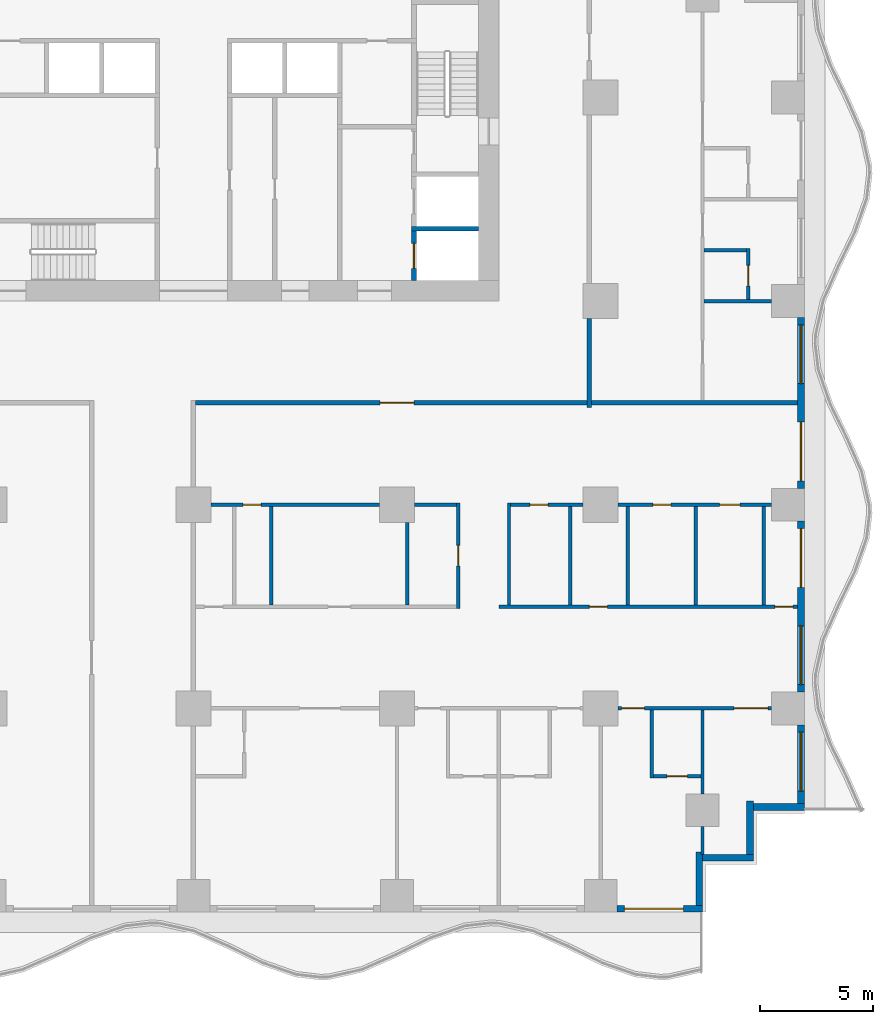
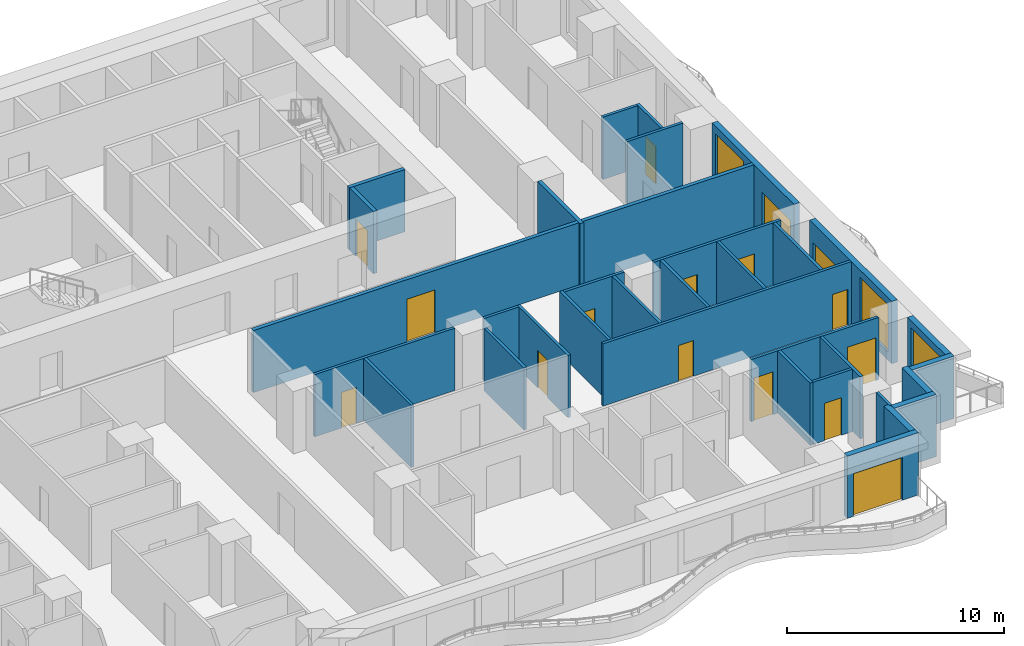
# One storey, part 4 of 14: 34 walls, 16 doors, 3 windows, 19 openings.
"""IFC4 building model written with IfcOpenShell, lengths in metres."""

from ifc_helpers import new_model, si_unit, direction, frame, frame_2d, origin, place, context, subcontext, project, spatial, rectangle, extrude, material, layer, layer_set, type_object, element, fill, save


model = new_model("IFC4")

# Units and contexts
model_context = context("Model", 3, precision=1e-05, world=origin(), true_north=direction((0.0, 1.0)))
body_context = subcontext(model_context, "Body", "Model", "MODEL_VIEW")
ifc_project = project(units=[si_unit("LENGTHUNIT", "METRE"), si_unit("AREAUNIT", "SQUARE_METRE"), si_unit("VOLUMEUNIT", "CUBIC_METRE"), si_unit("PLANEANGLEUNIT", "RADIAN"), si_unit("MASSUNIT", "GRAM", prefix="KILO")], contexts=[model_context])

# Site, building, storey
site_placement = place(None, origin())
site = spatial("IfcSite", under=ifc_project, at=site_placement, CompositionType="ELEMENT")
building_placement = place(site_placement, origin())
building = spatial("IfcBuilding", under=site, at=building_placement, Name="Orbiselva Terraces", CompositionType="ELEMENT")
storey_placement = place(building_placement, frame((0.0, 0.0, 26.4)))
storey = spatial("IfcBuildingStorey", under=building, at=storey_placement, Name="L06", CompositionType="ELEMENT", Elevation=26.4)

# Wall, opening, door
ifc_material_1 = material(Name="Concrete C60/75", Category="concrete")
ifc_layer_1 = layer(ifc_material_1, 0.2)
ifc_layer_set_1 = layer_set([ifc_layer_1], Name="Concrete C60/75")
wall_type_1 = type_object("IfcWallType", Name="CORE-WALL-SHEAR-200", PredefinedType="SHEAR", material=ifc_layer_set_1)
wall_1_placement = place(storey_placement, frame((9.75, 5.4, 0.0), z_axis=(0.0, 0.0, 1.0), x_axis=(0.0, 1.0, 0.0)))
wall_1 = element("IfcWall", 1, at=wall_1_placement, inside=storey, type_object=wall_type_1, Name="L06 core wall 36", PredefinedType="SHEAR", context=body_context, shape_type="SweptSolid", body=[
    extrude(rectangle(XDim=2.2, YDim=0.2, at=frame_2d((1.1, 0.0))), origin(), (0.0, 0.0, 1.0), 3.5),
])
opening_1_placement = place(wall_1_placement, frame((0.55, 0.0, 0.0)))
opening_1 = element("IfcOpeningElement", 2, at=opening_1_placement, cuts=wall_1, Name="Opening LD-FF1", PredefinedType="OPENING", context=body_context, shape_type="SweptSolid", body=[
    extrude(rectangle(XDim=1.1, YDim=2.1, at=frame_2d((0.55, 1.05))), frame((0.0, 0.11, 0.0), z_axis=(0.0, -1.0, 0.0), x_axis=(1.0, 0.0, 0.0)), (0.0, 0.0, 1.0), 0.22),
])
ifc_material_2 = material(Name="Stainless steel landing door", Category="steel")
door_type_1 = type_object("IfcDoorType", Name="LANDING DOOR 1100", OperationType="SLIDING_TO_LEFT", PredefinedType="DOOR", material=ifc_material_2)
door_1_placement = place(opening_1_placement, origin())
door_1 = element("IfcDoor", 3, at=door_1_placement, inside=storey, type_object=door_type_1, Name="L06 landing door FF1", OperationType="SLIDING_TO_RIGHT", OverallHeight=2.1, OverallWidth=1.1, PredefinedType="DOOR", context=body_context, shape_type="SweptSolid", body=[
    extrude(rectangle(XDim=1.1, YDim=2.1, at=frame_2d((0.55, 1.05))), frame((0.0, 0.025, 0.0), z_axis=(0.0, -1.0, 0.0), x_axis=(1.0, 0.0, 0.0)), (0.0, 0.0, 1.0), 0.05),
])
fill(opening_1, door_1)

# Wall
wall_2_placement = place(storey_placement, frame((9.65, 7.7, 0.0), z_axis=(0.0, 0.0, 1.0), x_axis=(1.0, 0.0, 0.0)))
element("IfcWall", 4, at=wall_2_placement, inside=storey, type_object=wall_type_1, Name="L06 core wall 37", PredefinedType="SHEAR", context=body_context, shape_type="SweptSolid", body=[
    extrude(rectangle(XDim=2.95, YDim=0.2, at=frame_2d((1.475, 0.0))), origin(), (0.0, 0.0, 1.0), 3.5),
])

# Wall, opening, door
ifc_material_3 = material(Name="Terracotta cladding on masonry backing", Category="masonry")
ifc_layer_2 = layer(ifc_material_3, 0.3)
ifc_layer_set_2 = layer_set([ifc_layer_2], Name="Terracotta cladding on masonry backing")
wall_type_2 = type_object("IfcWallType", Name="ENV-WALL-TERRACOTTA-300", PredefinedType="SOLIDWALL", material=ifc_layer_set_2)
wall_3_placement = place(storey_placement, frame((22.5, -22.35, 0.0), z_axis=(0.0, 0.0, 1.0), x_axis=(-1.0, 0.0, 0.0)))
wall_3 = element("IfcWall", 5, at=wall_3_placement, inside=storey, type_object=wall_type_2, Name="Facade wall L06 S", PredefinedType="SOLIDWALL", context=body_context, shape_type="SweptSolid", body=[
    extrude(rectangle(XDim=3.775, YDim=0.3, at=frame_2d((1.8875, 0.0))), origin(), (0.0, 0.0, 1.0), 3.5),
])
opening_2_placement = place(wall_3_placement, frame((0.85, 0.0, 0.0)))
opening_2 = element("IfcOpeningElement", 6, at=opening_2_placement, cuts=wall_3, Name="Opening Z1-B-E04", PredefinedType="OPENING", context=body_context, shape_type="SweptSolid", body=[
    extrude(rectangle(XDim=2.6, YDim=2.4, at=frame_2d((1.3, 1.2))), frame((0.0, 0.16, 0.0), z_axis=(0.0, -1.0, 0.0), x_axis=(1.0, 0.0, 0.0)), (0.0, 0.0, 1.0), 0.32),
])
ifc_material_4 = material(Name="Clear low-e glazing in aluminium frame", Category="aluminium")
door_type_2 = type_object("IfcDoorType", Name="BALCONY DOOR 2600 X 2400", OperationType="DOUBLE_DOOR_SLIDING", PredefinedType="DOOR", material=ifc_material_4)
door_2_placement = place(opening_2_placement, origin())
door_2 = element("IfcDoor", 7, at=door_2_placement, inside=storey, type_object=door_type_2, Name="Z1-B-E04", OperationType="SINGLE_SWING_LEFT", OverallHeight=2.4, OverallWidth=2.6, PredefinedType="DOOR", context=body_context, shape_type="SweptSolid", body=[
    extrude(rectangle(XDim=2.6, YDim=2.4, at=frame_2d((1.3, 1.2))), frame((0.0, 0.025, 0.0), z_axis=(0.0, -1.0, 0.0), x_axis=(1.0, 0.0, 0.0)), (0.0, 0.0, 1.0), 0.05),
])
fill(opening_2, door_2)

# Walls
wall_4_placement = place(storey_placement, frame((22.35, -19.85, 0.0), z_axis=(0.0, 0.0, 1.0), x_axis=(0.0, -1.0, 0.0)))
element("IfcWall", 8, at=wall_4_placement, inside=storey, type_object=wall_type_2, Name="Facade wall L06 STEP", PredefinedType="SOLIDWALL", context=body_context, shape_type="SweptSolid", body=[
    extrude(rectangle(XDim=2.35, YDim=0.3, at=frame_2d((1.175, 0.0))), origin(), (0.0, 0.0, 1.0), 3.5),
])
wall_5_placement = place(storey_placement, frame((24.75, -20.1, 0.0), z_axis=(0.0, 0.0, 1.0), x_axis=(-1.0, 0.0, 0.0)))
element("IfcWall", 9, at=wall_5_placement, inside=storey, type_object=wall_type_2, Name="Facade wall L06 STEP", PredefinedType="SOLIDWALL", context=body_context, shape_type="SweptSolid", body=[
    extrude(rectangle(XDim=2.25, YDim=0.3, at=frame_2d((1.125, 0.0))), origin(), (0.0, 0.0, 1.0), 3.5),
])
wall_6_placement = place(storey_placement, frame((24.6, -17.6, 0.0), z_axis=(0.0, 0.0, 1.0), x_axis=(0.0, -1.0, 0.0)))
element("IfcWall", 10, at=wall_6_placement, inside=storey, type_object=wall_type_2, Name="Facade wall L06 STEP", PredefinedType="SOLIDWALL", context=body_context, shape_type="SweptSolid", body=[
    extrude(rectangle(XDim=2.35, YDim=0.3, at=frame_2d((1.175, 0.0))), origin(), (0.0, 0.0, 1.0), 3.5),
])
wall_7_placement = place(storey_placement, frame((27.0, -17.85, 0.0), z_axis=(0.0, 0.0, 1.0), x_axis=(-1.0, 0.0, 0.0)))
element("IfcWall", 11, at=wall_7_placement, inside=storey, type_object=wall_type_2, Name="Facade wall L06 STEP", PredefinedType="SOLIDWALL", context=body_context, shape_type="SweptSolid", body=[
    extrude(rectangle(XDim=2.25, YDim=0.3, at=frame_2d((1.125, 0.0))), origin(), (0.0, 0.0, 1.0), 3.5),
])

# Wall, opening, window
wall_8_placement = place(storey_placement, frame((26.85, -14.225, 0.0), z_axis=(0.0, 0.0, 1.0), x_axis=(0.0, -1.0, 0.0)))
wall_8 = element("IfcWall", 12, at=wall_8_placement, inside=storey, type_object=wall_type_2, Name="Facade wall L06 E", PredefinedType="SOLIDWALL", context=body_context, shape_type="SweptSolid", body=[
    extrude(rectangle(XDim=3.475, YDim=0.3, at=frame_2d((1.7375, 0.0))), origin(), (0.0, 0.0, 1.0), 3.5),
])
opening_3_placement = place(wall_8_placement, frame((0.325, 0.0, 0.45)))
opening_3 = element("IfcOpeningElement", 13, at=opening_3_placement, cuts=wall_8, Name="Opening WN1", PredefinedType="OPENING", context=body_context, shape_type="SweptSolid", body=[
    extrude(rectangle(XDim=2.6, YDim=2.65, at=frame_2d((1.3, 1.325))), frame((0.0, 0.16, 0.0), z_axis=(0.0, -1.0, 0.0), x_axis=(1.0, 0.0, 0.0)), (0.0, 0.0, 1.0), 0.32),
])
window_type = type_object("IfcWindowType", Name="WINDOW 2600 X 2650 S450", PartitioningType="TRIPLE_PANEL_VERTICAL", PredefinedType="WINDOW", material=ifc_material_4)
window_1_placement = place(opening_3_placement, origin())
window_1 = element("IfcWindow", 14, at=window_1_placement, inside=storey, type_object=window_type, Name="Window L06 E", OverallHeight=2.65, OverallWidth=2.6, PartitioningType="SINGLE_PANEL", PredefinedType="WINDOW", context=body_context, shape_type="SweptSolid", body=[
    extrude(rectangle(XDim=2.6, YDim=2.65, at=frame_2d((1.3, 1.325))), frame((0.0, 0.03, 0.0), z_axis=(0.0, -1.0, 0.0), x_axis=(1.0, 0.0, 0.0)), (0.0, 0.0, 1.0), 0.06),
])
fill(opening_3, window_1)

# Wall, openings, door, window
wall_9_placement = place(storey_placement, frame((26.85, -5.225, 0.0), z_axis=(0.0, 0.0, 1.0), x_axis=(0.0, -1.0, 0.0)))
wall_9 = element("IfcWall", 15, at=wall_9_placement, inside=storey, type_object=wall_type_2, Name="Facade wall L06 E", PredefinedType="SOLIDWALL", context=body_context, shape_type="SweptSolid", body=[
    extrude(rectangle(XDim=7.55, YDim=0.3, at=frame_2d((3.775, 0.0))), origin(), (0.0, 0.0, 1.0), 3.5),
])
opening_4_placement = place(wall_9_placement, frame((4.625, 0.0, 0.45)))
opening_4 = element("IfcOpeningElement", 16, at=opening_4_placement, cuts=wall_9, Name="Opening WN1", PredefinedType="OPENING", context=body_context, shape_type="SweptSolid", body=[
    extrude(rectangle(XDim=2.6, YDim=2.65, at=frame_2d((1.3, 1.325))), frame((0.0, 0.16, 0.0), z_axis=(0.0, -1.0, 0.0), x_axis=(1.0, 0.0, 0.0)), (0.0, 0.0, 1.0), 0.32),
])
opening_5_placement = place(wall_9_placement, frame((0.325, 0.0, 0.0)))
opening_5 = element("IfcOpeningElement", 17, at=opening_5_placement, cuts=wall_9, Name="Opening Z1-B-E05", PredefinedType="OPENING", context=body_context, shape_type="SweptSolid", body=[
    extrude(rectangle(XDim=2.6, YDim=2.4, at=frame_2d((1.3, 1.2))), frame((0.0, 0.16, 0.0), z_axis=(0.0, -1.0, 0.0), x_axis=(1.0, 0.0, 0.0)), (0.0, 0.0, 1.0), 0.32),
])
door_3_placement = place(opening_5_placement, origin())
door_3 = element("IfcDoor", 18, at=door_3_placement, inside=storey, type_object=door_type_2, Name="Z1-B-E05", OperationType="SINGLE_SWING_LEFT", OverallHeight=2.4, OverallWidth=2.6, PredefinedType="DOOR", context=body_context, shape_type="SweptSolid", body=[
    extrude(rectangle(XDim=2.6, YDim=2.4, at=frame_2d((1.3, 1.2))), frame((0.0, 0.025, 0.0), z_axis=(0.0, -1.0, 0.0), x_axis=(1.0, 0.0, 0.0)), (0.0, 0.0, 1.0), 0.05),
])
fill(opening_5, door_3)
window_2_placement = place(opening_4_placement, origin())
window_2 = element("IfcWindow", 19, at=window_2_placement, inside=storey, type_object=window_type, Name="Window L06 E", OverallHeight=2.65, OverallWidth=2.6, PartitioningType="SINGLE_PANEL", PredefinedType="WINDOW", context=body_context, shape_type="SweptSolid", body=[
    extrude(rectangle(XDim=2.6, YDim=2.65, at=frame_2d((1.3, 1.325))), frame((0.0, 0.03, 0.0), z_axis=(0.0, -1.0, 0.0), x_axis=(1.0, 0.0, 0.0)), (0.0, 0.0, 1.0), 0.06),
])
fill(opening_4, window_2)

wall_10_placement = place(storey_placement, frame((26.85, 3.775, 0.0), z_axis=(0.0, 0.0, 1.0), x_axis=(0.0, -1.0, 0.0)))
wall_10 = element("IfcWall", 20, at=wall_10_placement, inside=storey, type_object=wall_type_2, Name="Facade wall L06 E", PredefinedType="SOLIDWALL", context=body_context, shape_type="SweptSolid", body=[
    extrude(rectangle(XDim=7.55, YDim=0.3, at=frame_2d((3.775, 0.0))), origin(), (0.0, 0.0, 1.0), 3.5),
])
opening_6_placement = place(wall_10_placement, frame((4.625, 0.0, 0.0)))
opening_6 = element("IfcOpeningElement", 21, at=opening_6_placement, cuts=wall_10, Name="Opening Z1-B-E06", PredefinedType="OPENING", context=body_context, shape_type="SweptSolid", body=[
    extrude(rectangle(XDim=2.6, YDim=2.4, at=frame_2d((1.3, 1.2))), frame((0.0, 0.16, 0.0), z_axis=(0.0, -1.0, 0.0), x_axis=(1.0, 0.0, 0.0)), (0.0, 0.0, 1.0), 0.32),
])
opening_7_placement = place(wall_10_placement, frame((0.325, 0.0, 0.45)))
opening_7 = element("IfcOpeningElement", 22, at=opening_7_placement, cuts=wall_10, Name="Opening WN1", PredefinedType="OPENING", context=body_context, shape_type="SweptSolid", body=[
    extrude(rectangle(XDim=2.6, YDim=2.65, at=frame_2d((1.3, 1.325))), frame((0.0, 0.16, 0.0), z_axis=(0.0, -1.0, 0.0), x_axis=(1.0, 0.0, 0.0)), (0.0, 0.0, 1.0), 0.32),
])
door_4_placement = place(opening_6_placement, origin())
door_4 = element("IfcDoor", 23, at=door_4_placement, inside=storey, type_object=door_type_2, Name="Z1-B-E06", OperationType="SINGLE_SWING_LEFT", OverallHeight=2.4, OverallWidth=2.6, PredefinedType="DOOR", context=body_context, shape_type="SweptSolid", body=[
    extrude(rectangle(XDim=2.6, YDim=2.4, at=frame_2d((1.3, 1.2))), frame((0.0, 0.025, 0.0), z_axis=(0.0, -1.0, 0.0), x_axis=(1.0, 0.0, 0.0)), (0.0, 0.0, 1.0), 0.05),
])
fill(opening_6, door_4)
window_3_placement = place(opening_7_placement, origin())
window_3 = element("IfcWindow", 24, at=window_3_placement, inside=storey, type_object=window_type, Name="Window L06 E", OverallHeight=2.65, OverallWidth=2.6, PartitioningType="SINGLE_PANEL", PredefinedType="WINDOW", context=body_context, shape_type="SweptSolid", body=[
    extrude(rectangle(XDim=2.6, YDim=2.65, at=frame_2d((1.3, 1.325))), frame((0.0, 0.03, 0.0), z_axis=(0.0, -1.0, 0.0), x_axis=(1.0, 0.0, 0.0)), (0.0, 0.0, 1.0), 0.06),
])
fill(opening_7, window_3)

# Wall, opening, door
ifc_material_5 = material(Name="Plasterboard on steel stud partition", Category="steel")
ifc_layer_3 = layer(ifc_material_5, 0.2)
ifc_layer_set_3 = layer_set([ifc_layer_3], Name="Plasterboard on steel stud partition")
wall_type_3 = type_object("IfcWallType", Name="UNIT-ENTRANCE-WALL-200", PredefinedType="PARTITIONING", material=ifc_layer_set_3)
wall_11_placement = place(storey_placement, frame((17.4, 0.0, 0.0), z_axis=(0.0, 0.0, 1.0), x_axis=(-1.0, 0.0, 0.0)))
wall_11 = element("IfcWall", 25, at=wall_11_placement, inside=storey, type_object=wall_type_3, Name="PARTITION L06-029", PredefinedType="PARTITIONING", context=body_context, shape_type="SweptSolid", body=[
    extrude(rectangle(XDim=17.3, YDim=0.2, at=frame_2d((8.65, 0.0))), origin(), (0.0, 0.0, 1.0), 3.5),
])
opening_8_placement = place(wall_11_placement, frame((7.65, 0.0, 0.0)))
opening_8 = element("IfcOpeningElement", 26, at=opening_8_placement, cuts=wall_11, Name="Opening Z1-B-28", PredefinedType="OPENING", context=body_context, shape_type="SweptSolid", body=[
    extrude(rectangle(XDim=1.5, YDim=2.4, at=frame_2d((0.75, 1.2))), frame((0.0, 0.11, 0.0), z_axis=(0.0, -1.0, 0.0), x_axis=(1.0, 0.0, 0.0)), (0.0, 0.0, 1.0), 0.22),
])
ifc_material_6 = material(Name="Painted timber door leaf", Category="wood")
door_type_3 = type_object("IfcDoorType", Name="ENTRANCE DOUBLE DOOR 1500", OperationType="NOTDEFINED", PredefinedType="DOOR", material=ifc_material_6)
door_5_placement = place(opening_8_placement, origin())
door_5 = element("IfcDoor", 27, at=door_5_placement, inside=storey, type_object=door_type_3, Name="Z1-B-28", OperationType="DOUBLE_DOOR_SINGLE_SWING", OverallHeight=2.4, OverallWidth=1.5, PredefinedType="DOOR", context=body_context, shape_type="SweptSolid", body=[
    extrude(rectangle(XDim=1.5, YDim=2.4, at=frame_2d((0.75, 1.2))), frame((0.0, 0.025, 0.0), z_axis=(0.0, -1.0, 0.0), x_axis=(1.0, 0.0, 0.0)), (0.0, 0.0, 1.0), 0.05),
])
fill(opening_8, door_5)

# Wall
wall_12_placement = place(storey_placement, frame((17.5, -0.2, 0.0), z_axis=(0.0, 0.0, 1.0), x_axis=(0.0, 1.0, 0.0)))
element("IfcWall", 28, at=wall_12_placement, inside=storey, type_object=wall_type_3, Name="PARTITION L06-073", PredefinedType="PARTITIONING", context=body_context, shape_type="SweptSolid", body=[
    extrude(rectangle(XDim=3.925, YDim=0.2, at=frame_2d((1.9625, 0.0))), origin(), (0.0, 0.0, 1.0), 3.5),
])

# Wall, opening, door
ifc_layer_4 = layer(ifc_material_5, 0.15)
ifc_layer_set_4 = layer_set([ifc_layer_4], Name="Plasterboard on steel stud partition")
wall_type_4 = type_object("IfcWallType", Name="UNIT-PARTITION-150", PredefinedType="PARTITIONING", material=ifc_layer_set_4)
wall_13_placement = place(storey_placement, frame((20.325, -16.5, 0.0), z_axis=(0.0, 0.0, 1.0), x_axis=(1.0, 0.0, 0.0)))
wall_13 = element("IfcWall", 29, at=wall_13_placement, inside=storey, type_object=wall_type_4, Name="PARTITION L06-006", PredefinedType="PARTITIONING", context=body_context, shape_type="SweptSolid", body=[
    extrude(rectangle(XDim=2.1, YDim=0.15, at=frame_2d((1.05, 0.0))), origin(), (0.0, 0.0, 1.0), 3.5),
])
opening_9_placement = place(wall_13_placement, frame((0.6, 0.0, 0.0)))
opening_9 = element("IfcOpeningElement", 30, at=opening_9_placement, cuts=wall_13, Name="Opening Z1-B-45", PredefinedType="OPENING", context=body_context, shape_type="SweptSolid", body=[
    extrude(rectangle(XDim=0.9, YDim=2.1, at=frame_2d((0.45, 1.05))), frame((0.0, 0.085, 0.0), z_axis=(0.0, -1.0, 0.0), x_axis=(1.0, 0.0, 0.0)), (0.0, 0.0, 1.0), 0.17),
])
door_type_4 = type_object("IfcDoorType", Name="BATH DOOR 900", OperationType="NOTDEFINED", PredefinedType="DOOR", material=ifc_material_6)
door_6_placement = place(opening_9_placement, origin())
door_6 = element("IfcDoor", 31, at=door_6_placement, inside=storey, type_object=door_type_4, Name="Z1-B-45", OperationType="SINGLE_SWING_LEFT", OverallHeight=2.1, OverallWidth=0.9, PredefinedType="DOOR", context=body_context, shape_type="SweptSolid", body=[
    extrude(rectangle(XDim=0.9, YDim=2.1, at=frame_2d((0.45, 1.05))), frame((0.0, 0.025, 0.0), z_axis=(0.0, -1.0, 0.0), x_axis=(1.0, 0.0, 0.0)), (0.0, 0.0, 1.0), 0.05),
])
fill(opening_9, door_6)

# Wall, openings, doors
wall_14_placement = place(storey_placement, frame((25.55, -13.5, 0.0), z_axis=(0.0, 0.0, 1.0), x_axis=(-1.0, 0.0, 0.0)))
wall_14 = element("IfcWall", 32, at=wall_14_placement, inside=storey, type_object=wall_type_4, Name="PARTITION L06-011", PredefinedType="PARTITIONING", context=body_context, shape_type="SweptSolid", body=[
    extrude(rectangle(XDim=6.775, YDim=0.15, at=frame_2d((3.3875, 0.0))), origin(), (0.0, 0.0, 1.0), 3.5),
])
opening_10_placement = place(wall_14_placement, frame((5.625, 0.0, 0.0)))
opening_10 = element("IfcOpeningElement", 33, at=opening_10_placement, cuts=wall_14, Name="Opening Z1-B-44", PredefinedType="OPENING", context=body_context, shape_type="SweptSolid", body=[
    extrude(rectangle(XDim=1.0, YDim=2.4, at=frame_2d((0.5, 1.2))), frame((0.0, 0.085, 0.0), z_axis=(0.0, -1.0, 0.0), x_axis=(1.0, 0.0, 0.0)), (0.0, 0.0, 1.0), 0.17),
])
opening_11_placement = place(wall_14_placement, frame((0.15, 0.0, 0.0)))
opening_11 = element("IfcOpeningElement", 34, at=opening_11_placement, cuts=wall_14, Name="Opening Z1-B-46", PredefinedType="OPENING", context=body_context, shape_type="SweptSolid", body=[
    extrude(rectangle(XDim=1.5, YDim=2.4, at=frame_2d((0.75, 1.2))), frame((0.0, 0.085, 0.0), z_axis=(0.0, -1.0, 0.0), x_axis=(1.0, 0.0, 0.0)), (0.0, 0.0, 1.0), 0.17),
])
door_type_5 = type_object("IfcDoorType", Name="DOUBLE DOOR 1500", OperationType="NOTDEFINED", PredefinedType="DOOR", material=ifc_material_6)
door_7_placement = place(opening_11_placement, origin())
door_7 = element("IfcDoor", 35, at=door_7_placement, inside=storey, type_object=door_type_5, Name="Z1-B-46", OperationType="DOUBLE_DOOR_SINGLE_SWING", OverallHeight=2.4, OverallWidth=1.5, PredefinedType="DOOR", context=body_context, shape_type="SweptSolid", body=[
    extrude(rectangle(XDim=1.5, YDim=2.4, at=frame_2d((0.75, 1.2))), frame((0.0, 0.025, 0.0), z_axis=(0.0, -1.0, 0.0), x_axis=(1.0, 0.0, 0.0)), (0.0, 0.0, 1.0), 0.05),
])
fill(opening_11, door_7)
door_type_6 = type_object("IfcDoorType", Name="ROOM DOOR 1000", OperationType="NOTDEFINED", PredefinedType="DOOR", material=ifc_material_6)
door_8_placement = place(opening_10_placement, origin())
door_8 = element("IfcDoor", 36, at=door_8_placement, inside=storey, type_object=door_type_6, Name="Z1-B-44", OperationType="SINGLE_SWING_RIGHT", OverallHeight=2.4, OverallWidth=1.0, PredefinedType="DOOR", context=body_context, shape_type="SweptSolid", body=[
    extrude(rectangle(XDim=1.0, YDim=2.4, at=frame_2d((0.5, 1.2))), frame((0.0, 0.025, 0.0), z_axis=(0.0, -1.0, 0.0), x_axis=(1.0, 0.0, 0.0)), (0.0, 0.0, 1.0), 0.05),
])
fill(opening_10, door_8)

wall_15_placement = place(storey_placement, frame((13.5, -9.0, 0.0), z_axis=(0.0, 0.0, 1.0), x_axis=(1.0, 0.0, 0.0)))
wall_15 = element("IfcWall", 37, at=wall_15_placement, inside=storey, type_object=wall_type_4, Name="PARTITION L06-018", PredefinedType="PARTITIONING", context=body_context, shape_type="SweptSolid", body=[
    extrude(rectangle(XDim=13.2, YDim=0.15, at=frame_2d((6.6, 0.0))), origin(), (0.0, 0.0, 1.0), 3.5),
])
opening_12_placement = place(wall_15_placement, frame((4.0, 0.0, 0.0)))
opening_12 = element("IfcOpeningElement", 38, at=opening_12_placement, cuts=wall_15, Name="Opening Z1-B-34", PredefinedType="OPENING", context=body_context, shape_type="SweptSolid", body=[
    extrude(rectangle(XDim=0.8, YDim=2.0, at=frame_2d((0.4, 1.0))), frame((0.0, 0.085, 0.0), z_axis=(0.0, -1.0, 0.0), x_axis=(1.0, 0.0, 0.0)), (0.0, 0.0, 1.0), 0.17),
])
opening_13_placement = place(wall_15_placement, frame((12.2, 0.0, 0.0)))
opening_13 = element("IfcOpeningElement", 39, at=opening_13_placement, cuts=wall_15, Name="Opening Z1-B-37", PredefinedType="OPENING", context=body_context, shape_type="SweptSolid", body=[
    extrude(rectangle(XDim=0.8, YDim=2.0, at=frame_2d((0.4, 1.0))), frame((0.0, 0.085, 0.0), z_axis=(0.0, -1.0, 0.0), x_axis=(1.0, 0.0, 0.0)), (0.0, 0.0, 1.0), 0.17),
])
door_type_7 = type_object("IfcDoorType", Name="STORE DOOR 800", OperationType="NOTDEFINED", PredefinedType="DOOR", material=ifc_material_6)
door_9_placement = place(opening_12_placement, origin())
door_9 = element("IfcDoor", 40, at=door_9_placement, inside=storey, type_object=door_type_7, Name="Z1-B-34", OperationType="SINGLE_SWING_LEFT", OverallHeight=2.0, OverallWidth=0.8, PredefinedType="DOOR", context=body_context, shape_type="SweptSolid", body=[
    extrude(rectangle(XDim=0.8, YDim=2.0, at=frame_2d((0.4, 1.0))), frame((0.0, 0.025, 0.0), z_axis=(0.0, -1.0, 0.0), x_axis=(1.0, 0.0, 0.0)), (0.0, 0.0, 1.0), 0.05),
])
fill(opening_12, door_9)
door_10_placement = place(opening_13_placement, origin())
door_10 = element("IfcDoor", 41, at=door_10_placement, inside=storey, type_object=door_type_7, Name="Z1-B-37", OperationType="SINGLE_SWING_RIGHT", OverallHeight=2.0, OverallWidth=0.8, PredefinedType="DOOR", context=body_context, shape_type="SweptSolid", body=[
    extrude(rectangle(XDim=0.8, YDim=2.0, at=frame_2d((0.4, 1.0))), frame((0.0, 0.025, 0.0), z_axis=(0.0, -1.0, 0.0), x_axis=(1.0, 0.0, 0.0)), (0.0, 0.0, 1.0), 0.05),
])
fill(opening_13, door_10)

# Wall, opening, door
wall_16_placement = place(storey_placement, frame((8.225, -4.5, 0.0), z_axis=(0.0, 0.0, 1.0), x_axis=(-1.0, 0.0, 0.0)))
wall_16 = element("IfcWall", 42, at=wall_16_placement, inside=storey, type_object=wall_type_4, Name="PARTITION L06-023", PredefinedType="PARTITIONING", context=body_context, shape_type="SweptSolid", body=[
    extrude(rectangle(XDim=7.45, YDim=0.15, at=frame_2d((3.725, 0.0))), origin(), (0.0, 0.0, 1.0), 3.5),
])
opening_14_placement = place(wall_16_placement, frame((5.225, 0.0, 0.0)))
opening_14 = element("IfcOpeningElement", 43, at=opening_14_placement, cuts=wall_16, Name="Opening Z1-B-30", PredefinedType="OPENING", context=body_context, shape_type="SweptSolid", body=[
    extrude(rectangle(XDim=0.8, YDim=2.0, at=frame_2d((0.4, 1.0))), frame((0.0, 0.085, 0.0), z_axis=(0.0, -1.0, 0.0), x_axis=(1.0, 0.0, 0.0)), (0.0, 0.0, 1.0), 0.17),
])
door_11_placement = place(opening_14_placement, origin())
door_11 = element("IfcDoor", 44, at=door_11_placement, inside=storey, type_object=door_type_7, Name="Z1-B-30", OperationType="SINGLE_SWING_RIGHT", OverallHeight=2.0, OverallWidth=0.8, PredefinedType="DOOR", context=body_context, shape_type="SweptSolid", body=[
    extrude(rectangle(XDim=0.8, YDim=2.0, at=frame_2d((0.4, 1.0))), frame((0.0, 0.025, 0.0), z_axis=(0.0, -1.0, 0.0), x_axis=(1.0, 0.0, 0.0)), (0.0, 0.0, 1.0), 0.05),
])
fill(opening_14, door_11)

# Wall
wall_17_placement = place(storey_placement, frame((9.775, -4.5, 0.0), z_axis=(0.0, 0.0, 1.0), x_axis=(1.0, 0.0, 0.0)))
element("IfcWall", 45, at=wall_17_placement, inside=storey, type_object=wall_type_4, Name="PARTITION L06-024", PredefinedType="PARTITIONING", context=body_context, shape_type="SweptSolid", body=[
    extrude(rectangle(XDim=1.85, YDim=0.15, at=frame_2d((0.925, 0.0))), origin(), (0.0, 0.0, 1.0), 3.5),
])

# Wall, opening, door
wall_18_placement = place(storey_placement, frame((17.225, -4.5, 0.0), z_axis=(0.0, 0.0, 1.0), x_axis=(-1.0, 0.0, 0.0)))
wall_18 = element("IfcWall", 46, at=wall_18_placement, inside=storey, type_object=wall_type_4, Name="PARTITION L06-025", PredefinedType="PARTITIONING", context=body_context, shape_type="SweptSolid", body=[
    extrude(rectangle(XDim=3.2, YDim=0.15, at=frame_2d((1.6, 0.0))), origin(), (0.0, 0.0, 1.0), 3.5),
])
opening_15_placement = place(wall_18_placement, frame((1.55, 0.0, 0.0)))
opening_15 = element("IfcOpeningElement", 47, at=opening_15_placement, cuts=wall_18, Name="Opening Z1-B-33", PredefinedType="OPENING", context=body_context, shape_type="SweptSolid", body=[
    extrude(rectangle(XDim=0.8, YDim=2.0, at=frame_2d((0.4, 1.0))), frame((0.0, 0.085, 0.0), z_axis=(0.0, -1.0, 0.0), x_axis=(1.0, 0.0, 0.0)), (0.0, 0.0, 1.0), 0.17),
])
door_12_placement = place(opening_15_placement, origin())
door_12 = element("IfcDoor", 48, at=door_12_placement, inside=storey, type_object=door_type_7, Name="Z1-B-33", OperationType="SINGLE_SWING_RIGHT", OverallHeight=2.0, OverallWidth=0.8, PredefinedType="DOOR", context=body_context, shape_type="SweptSolid", body=[
    extrude(rectangle(XDim=0.8, YDim=2.0, at=frame_2d((0.4, 1.0))), frame((0.0, 0.025, 0.0), z_axis=(0.0, -1.0, 0.0), x_axis=(1.0, 0.0, 0.0)), (0.0, 0.0, 1.0), 0.05),
])
fill(opening_15, door_12)

# Wall, openings, doors
wall_19_placement = place(storey_placement, frame((25.55, -4.5, 0.0), z_axis=(0.0, 0.0, 1.0), x_axis=(-1.0, 0.0, 0.0)))
wall_19 = element("IfcWall", 49, at=wall_19_placement, inside=storey, type_object=wall_type_4, Name="PARTITION L06-026", PredefinedType="PARTITIONING", context=body_context, shape_type="SweptSolid", body=[
    extrude(rectangle(XDim=6.775, YDim=0.15, at=frame_2d((3.3875, 0.0))), origin(), (0.0, 0.0, 1.0), 3.5),
])
opening_16_placement = place(wall_19_placement, frame((4.45, 0.0, 0.0)))
opening_16 = element("IfcOpeningElement", 50, at=opening_16_placement, cuts=wall_19, Name="Opening Z1-B-35", PredefinedType="OPENING", context=body_context, shape_type="SweptSolid", body=[
    extrude(rectangle(XDim=0.8, YDim=2.0, at=frame_2d((0.4, 1.0))), frame((0.0, 0.085, 0.0), z_axis=(0.0, -1.0, 0.0), x_axis=(1.0, 0.0, 0.0)), (0.0, 0.0, 1.0), 0.17),
])
opening_17_placement = place(wall_19_placement, frame((1.4, 0.0, 0.0)))
opening_17 = element("IfcOpeningElement", 51, at=opening_17_placement, cuts=wall_19, Name="Opening Z1-B-36", PredefinedType="OPENING", context=body_context, shape_type="SweptSolid", body=[
    extrude(rectangle(XDim=0.9, YDim=2.1, at=frame_2d((0.45, 1.05))), frame((0.0, 0.085, 0.0), z_axis=(0.0, -1.0, 0.0), x_axis=(1.0, 0.0, 0.0)), (0.0, 0.0, 1.0), 0.17),
])
door_type_8 = type_object("IfcDoorType", Name="SERVICE DOOR 900", OperationType="NOTDEFINED", PredefinedType="DOOR", material=ifc_material_6)
door_13_placement = place(opening_17_placement, origin())
door_13 = element("IfcDoor", 52, at=door_13_placement, inside=storey, type_object=door_type_8, Name="Z1-B-36", OperationType="SINGLE_SWING_LEFT", OverallHeight=2.1, OverallWidth=0.9, PredefinedType="DOOR", context=body_context, shape_type="SweptSolid", body=[
    extrude(rectangle(XDim=0.9, YDim=2.1, at=frame_2d((0.45, 1.05))), frame((0.0, 0.025, 0.0), z_axis=(0.0, -1.0, 0.0), x_axis=(1.0, 0.0, 0.0)), (0.0, 0.0, 1.0), 0.05),
])
fill(opening_17, door_13)
door_14_placement = place(opening_16_placement, origin())
door_14 = element("IfcDoor", 53, at=door_14_placement, inside=storey, type_object=door_type_7, Name="Z1-B-35", OperationType="SINGLE_SWING_RIGHT", OverallHeight=2.0, OverallWidth=0.8, PredefinedType="DOOR", context=body_context, shape_type="SweptSolid", body=[
    extrude(rectangle(XDim=0.8, YDim=2.0, at=frame_2d((0.4, 1.0))), frame((0.0, 0.025, 0.0), z_axis=(0.0, -1.0, 0.0), x_axis=(1.0, 0.0, 0.0)), (0.0, 0.0, 1.0), 0.05),
])
fill(opening_16, door_14)

# Walls
wall_20_placement = place(storey_placement, frame((22.575, 4.5, 0.0), z_axis=(0.0, 0.0, 1.0), x_axis=(1.0, 0.0, 0.0)))
element("IfcWall", 54, at=wall_20_placement, inside=storey, type_object=wall_type_4, Name="PARTITION L06-033", PredefinedType="PARTITIONING", context=body_context, shape_type="SweptSolid", body=[
    extrude(rectangle(XDim=2.975, YDim=0.15, at=frame_2d((1.4875, 0.0))), origin(), (0.0, 0.0, 1.0), 3.5),
])
wall_21_placement = place(storey_placement, frame((22.575, 6.75, 0.0), z_axis=(0.0, 0.0, 1.0), x_axis=(1.0, 0.0, 0.0)))
element("IfcWall", 55, at=wall_21_placement, inside=storey, type_object=wall_type_4, Name="PARTITION L06-034", PredefinedType="PARTITIONING", context=body_context, shape_type="SweptSolid", body=[
    extrude(rectangle(XDim=1.875, YDim=0.15, at=frame_2d((0.9375, 0.0))), origin(), (0.0, 0.0, 1.0), 3.5),
])
wall_22_placement = place(storey_placement, frame((3.45, -8.925, 0.0), z_axis=(0.0, 0.0, 1.0), x_axis=(0.0, 1.0, 0.0)))
element("IfcWall", 56, at=wall_22_placement, inside=storey, type_object=wall_type_4, Name="PARTITION L06-064", PredefinedType="PARTITIONING", context=body_context, shape_type="SweptSolid", body=[
    extrude(rectangle(XDim=4.35, YDim=0.15, at=frame_2d((2.175, 0.0))), origin(), (0.0, 0.0, 1.0), 3.5),
])
wall_23_placement = place(storey_placement, frame((9.45, -8.925, 0.0), z_axis=(0.0, 0.0, 1.0), x_axis=(0.0, 1.0, 0.0)))
element("IfcWall", 57, at=wall_23_placement, inside=storey, type_object=wall_type_4, Name="PARTITION L06-066", PredefinedType="PARTITIONING", context=body_context, shape_type="SweptSolid", body=[
    extrude(rectangle(XDim=3.65, YDim=0.15, at=frame_2d((1.825, 0.0))), origin(), (0.0, 0.0, 1.0), 3.5),
])

# Wall, opening, door
wall_24_placement = place(storey_placement, frame((11.7, -9.075, 0.0), z_axis=(0.0, 0.0, 1.0), x_axis=(0.0, 1.0, 0.0)))
wall_24 = element("IfcWall", 58, at=wall_24_placement, inside=storey, type_object=wall_type_4, Name="PARTITION L06-068", PredefinedType="PARTITIONING", context=body_context, shape_type="SweptSolid", body=[
    extrude(rectangle(XDim=4.65, YDim=0.15, at=frame_2d((2.325, 0.0))), origin(), (0.0, 0.0, 1.0), 3.5),
])
opening_18_placement = place(wall_24_placement, frame((1.875, 0.0, 0.0)))
opening_18 = element("IfcOpeningElement", 59, at=opening_18_placement, cuts=wall_24, Name="Opening Z1-B-32", PredefinedType="OPENING", context=body_context, shape_type="SweptSolid", body=[
    extrude(rectangle(XDim=0.9, YDim=2.1, at=frame_2d((0.45, 1.05))), frame((0.0, 0.085, 0.0), z_axis=(0.0, -1.0, 0.0), x_axis=(1.0, 0.0, 0.0)), (0.0, 0.0, 1.0), 0.17),
])
door_15_placement = place(opening_18_placement, origin())
door_15 = element("IfcDoor", 60, at=door_15_placement, inside=storey, type_object=door_type_4, Name="Z1-B-32", OperationType="SINGLE_SWING_LEFT", OverallHeight=2.1, OverallWidth=0.9, PredefinedType="DOOR", context=body_context, shape_type="SweptSolid", body=[
    extrude(rectangle(XDim=0.9, YDim=2.1, at=frame_2d((0.45, 1.05))), frame((0.0, 0.025, 0.0), z_axis=(0.0, -1.0, 0.0), x_axis=(1.0, 0.0, 0.0)), (0.0, 0.0, 1.0), 0.05),
])
fill(opening_18, door_15)

# Walls
wall_25_placement = place(storey_placement, frame((13.95, -8.925, 0.0), z_axis=(0.0, 0.0, 1.0), x_axis=(0.0, 1.0, 0.0)))
element("IfcWall", 61, at=wall_25_placement, inside=storey, type_object=wall_type_4, Name="PARTITION L06-070", PredefinedType="PARTITIONING", context=body_context, shape_type="SweptSolid", body=[
    extrude(rectangle(XDim=4.5, YDim=0.15, at=frame_2d((2.25, 0.0))), origin(), (0.0, 0.0, 1.0), 3.5),
])
for number, where, z_axis, x_axis, name in (
    (62, (16.65, -8.925, 0.0), (0.0, 0.0, 1.0), (0.0, 1.0, 0.0), "PARTITION L06-072"),
    (63, (19.2, -8.925, 0.0), (0.0, 0.0, 1.0), (0.0, 1.0, 0.0), "PARTITION L06-077"),
):
    element("IfcWall", number, at=place(storey_placement, frame(where, z_axis=z_axis, x_axis=x_axis)), inside=storey, type_object=wall_type_4, Name=name, PredefinedType="PARTITIONING", context=body_context, shape_type="SweptSolid", body=[
        extrude(rectangle(XDim=4.35, YDim=0.15, at=frame_2d((2.175, 0.0))), origin(), (0.0, 0.0, 1.0), 3.5),
    ])
wall_26_placement = place(storey_placement, frame((20.25, -16.575, 0.0), z_axis=(0.0, 0.0, 1.0), x_axis=(0.0, 1.0, 0.0)))
element("IfcWall", 64, at=wall_26_placement, inside=storey, type_object=wall_type_4, Name="PARTITION L06-078", PredefinedType="PARTITIONING", context=body_context, shape_type="SweptSolid", body=[
    extrude(rectangle(XDim=3.0, YDim=0.15, at=frame_2d((1.5, 0.0))), origin(), (0.0, 0.0, 1.0), 3.5),
])
wall_27_placement = place(storey_placement, frame((22.2, -8.925, 0.0), z_axis=(0.0, 0.0, 1.0), x_axis=(0.0, 1.0, 0.0)))
element("IfcWall", 65, at=wall_27_placement, inside=storey, type_object=wall_type_4, Name="PARTITION L06-079", PredefinedType="PARTITIONING", context=body_context, shape_type="SweptSolid", body=[
    extrude(rectangle(XDim=4.35, YDim=0.15, at=frame_2d((2.175, 0.0))), origin(), (0.0, 0.0, 1.0), 3.5),
])
wall_28_placement = place(storey_placement, frame((22.5, -19.95, 0.0), z_axis=(0.0, 0.0, 1.0), x_axis=(0.0, 1.0, 0.0)))
element("IfcWall", 66, at=wall_28_placement, inside=storey, type_object=wall_type_4, Name="PARTITION L06-080", PredefinedType="PARTITIONING", context=body_context, shape_type="SweptSolid", body=[
    extrude(rectangle(XDim=1.225, YDim=0.15, at=frame_2d((0.6125, 0.0))), origin(), (0.0, 0.0, 1.0), 3.5),
])
wall_29_placement = place(storey_placement, frame((22.5, -17.275, 0.0), z_axis=(0.0, 0.0, 1.0), x_axis=(0.0, 1.0, 0.0)))
element("IfcWall", 67, at=wall_29_placement, inside=storey, type_object=wall_type_4, Name="PARTITION L06-081", PredefinedType="PARTITIONING", context=body_context, shape_type="SweptSolid", body=[
    extrude(rectangle(XDim=3.7, YDim=0.15, at=frame_2d((1.85, 0.0))), origin(), (0.0, 0.0, 1.0), 3.5),
])

# Wall, opening, door
wall_30_placement = place(storey_placement, frame((24.525, 4.575, 0.0), z_axis=(0.0, 0.0, 1.0), x_axis=(0.0, 1.0, 0.0)))
wall_30 = element("IfcWall", 68, at=wall_30_placement, inside=storey, type_object=wall_type_4, Name="PARTITION L06-084", PredefinedType="PARTITIONING", context=body_context, shape_type="SweptSolid", body=[
    extrude(rectangle(XDim=2.25, YDim=0.15, at=frame_2d((1.125, 0.0))), origin(), (0.0, 0.0, 1.0), 3.5),
])
opening_19_placement = place(wall_30_placement, frame((0.6, 0.0, 0.0)))
opening_19 = element("IfcOpeningElement", 69, at=opening_19_placement, cuts=wall_30, Name="Opening Z1-B-10", PredefinedType="OPENING", context=body_context, shape_type="SweptSolid", body=[
    extrude(rectangle(XDim=0.9, YDim=2.1, at=frame_2d((0.45, 1.05))), frame((0.0, 0.085, 0.0), z_axis=(0.0, -1.0, 0.0), x_axis=(1.0, 0.0, 0.0)), (0.0, 0.0, 1.0), 0.17),
])
door_16_placement = place(opening_19_placement, origin())
door_16 = element("IfcDoor", 70, at=door_16_placement, inside=storey, type_object=door_type_4, Name="Z1-B-10", OperationType="SINGLE_SWING_LEFT", OverallHeight=2.1, OverallWidth=0.9, PredefinedType="DOOR", context=body_context, shape_type="SweptSolid", body=[
    extrude(rectangle(XDim=0.9, YDim=2.1, at=frame_2d((0.45, 1.05))), frame((0.0, 0.025, 0.0), z_axis=(0.0, -1.0, 0.0), x_axis=(1.0, 0.0, 0.0)), (0.0, 0.0, 1.0), 0.05),
])
fill(opening_19, door_16)

# Walls
wall_31_placement = place(storey_placement, frame((25.2, -8.925, 0.0), z_axis=(0.0, 0.0, 1.0), x_axis=(0.0, 1.0, 0.0)))
element("IfcWall", 71, at=wall_31_placement, inside=storey, type_object=wall_type_4, Name="PARTITION L06-086", PredefinedType="PARTITIONING", context=body_context, shape_type="SweptSolid", body=[
    extrude(rectangle(XDim=4.35, YDim=0.15, at=frame_2d((2.175, 0.0))), origin(), (0.0, 0.0, 1.0), 3.5),
])
ifc_layer_5 = layer(ifc_material_5, 0.2)
ifc_layer_set_5 = layer_set([ifc_layer_5], Name="Plasterboard on steel stud partition")
wall_type_5 = type_object("IfcWallType", Name="UNIT-PARTY-WALL-200", PredefinedType="PARTITIONING", material=ifc_layer_set_5)
wall_32_placement = place(storey_placement, frame((17.6, 0.0, 0.0), z_axis=(0.0, 0.0, 1.0), x_axis=(1.0, 0.0, 0.0)))
element("IfcWall", 72, at=wall_32_placement, inside=storey, type_object=wall_type_5, Name="PARTITION L06-031", PredefinedType="PARTITIONING", context=body_context, shape_type="SweptSolid", body=[
    extrude(rectangle(XDim=9.1, YDim=0.2, at=frame_2d((4.55, 0.0))), origin(), (0.0, 0.0, 1.0), 3.5),
])

save(model, "model.ifc")
